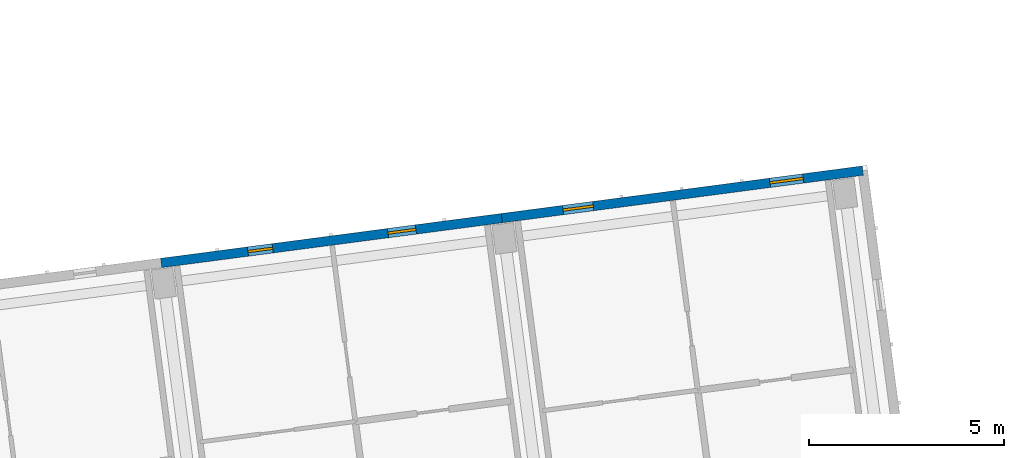
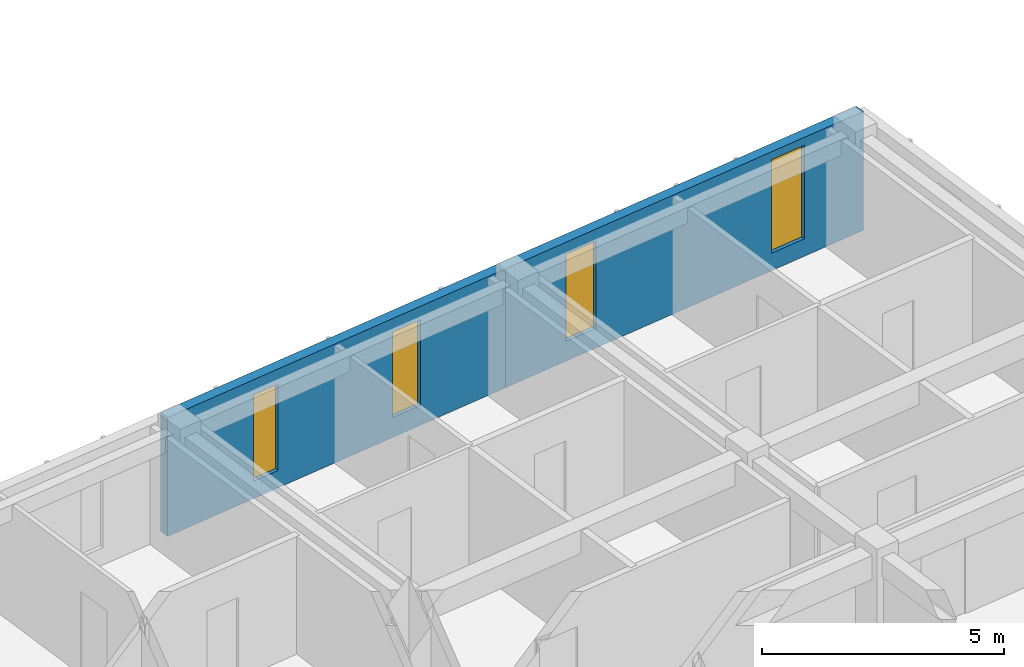
# One storey, part 30 of 65: 4 windows, 2 walls, 4 openings.
"""IFC4 building model written with IfcOpenShell, lengths in metres."""

from ifc_helpers import new_model, si_unit, direction, frame, frame_2d, origin, place, context, subcontext, project, spatial, rectangle, extrude, material, layer, layer_set, type_object, element, fill, save


model = new_model("IFC4")

# Units and contexts
model_context = context("Model", 3, precision=1e-05, world=origin(), true_north=direction((0.0, 1.0)))
body_context = subcontext(model_context, "Body", "Model", "MODEL_VIEW")
ifc_project = project(units=[si_unit("LENGTHUNIT", "METRE"), si_unit("AREAUNIT", "SQUARE_METRE"), si_unit("VOLUMEUNIT", "CUBIC_METRE"), si_unit("PLANEANGLEUNIT", "RADIAN"), si_unit("MASSUNIT", "GRAM", prefix="KILO")], contexts=[model_context])

# Site, building, storey
site_placement = place(None, origin())
site = spatial("IfcSite", under=ifc_project, at=site_placement, CompositionType="ELEMENT")
building_placement = place(site_placement, origin())
building = spatial("IfcBuilding", under=site, at=building_placement, Name="Kestramere Prow Commons", CompositionType="ELEMENT")
storey_placement = place(building_placement, frame((0.0, 0.0, 21.39990234375)))
storey = spatial("IfcBuildingStorey", under=building, at=storey_placement, Name="L06", CompositionType="ELEMENT", Elevation=21.39990234375)

# Wall, openings, windows
ifc_material_1 = material(Name="Fluoropolymer Standing-Seam Zinc-Aluminium Cladding", Category="aluminium")
ifc_layer = layer(ifc_material_1, 0.239990234375)
ifc_layer_set = layer_set([ifc_layer], Name="Fluoropolymer Standing-Seam Zinc-Aluminium Cladding")
wall_type = type_object("IfcWallType", Name="EW-SEAM-240", PredefinedType="SOLIDWALL", material=ifc_layer_set)
wall_1_placement = place(storey_placement, frame((43.419921875, 96.94384765625, 0.0), z_axis=(0.0, 0.0, 1.0), x_axis=(0.991443905089, 0.130533455715, 0.0)))
wall_1 = element("IfcWall", 1, at=wall_1_placement, inside=storey, type_object=wall_type, Name="Block A L06 North Standing-Seam Wall 5", PredefinedType="SOLIDWALL", context=body_context, shape_type="SweptSolid", body=[
    extrude(rectangle(XDim=8.7998046875, YDim=0.239990234375, at=frame_2d((4.39990234375, 0.0))), origin(), (0.0, 0.0, 1.0), 3.0),
])
opening_1_placement = place(wall_1_placement, frame((2.2412109375, 0.0, 0.43994140625)))
opening_1 = element("IfcOpeningElement", 2, at=opening_1_placement, cuts=wall_1, Name="Opening WN-04", PredefinedType="OPENING", context=body_context, shape_type="SweptSolid", body=[
    extrude(rectangle(XDim=0.639892578125, YDim=2.179931640625, at=frame_2d((0.31982421875, 1.08984375))), frame((0.0, 0.135009765625, 0.0), z_axis=(0.0, -1.0, 0.0), x_axis=(1.0, 0.0, 0.0)), (0.0, 0.0, 1.0), 0.27001953125),
])
opening_2_placement = place(wall_1_placement, frame((5.86083984375, 0.0, 0.5)))
opening_2 = element("IfcOpeningElement", 3, at=opening_2_placement, cuts=wall_1, Name="Opening WN-08", PredefinedType="OPENING", context=body_context, shape_type="SweptSolid", body=[
    extrude(rectangle(XDim=0.719970703125, YDim=2.159912109375, at=frame_2d((0.35986328125, 1.080078125))), frame((0.0, 0.135009765625, 0.0), z_axis=(0.0, -1.0, 0.0), x_axis=(1.0, 0.0, 0.0)), (0.0, 0.0, 1.0), 0.27001953125),
])
ifc_material_2 = material(Name="Low-E Laminated Double Glazing", Category="glass")
window_type_1 = type_object("IfcWindowType", Name="WN-NAR-640A", PartitioningType="SINGLE_PANEL", PredefinedType="WINDOW", material=ifc_material_2)
window_1_placement = place(opening_1_placement, origin())
window_1 = element("IfcWindow", 4, at=window_1_placement, inside=storey, type_object=window_type_1, Name="WN-A-L06-N-4-0", OverallHeight=2.179931640625, OverallWidth=0.639892578125, PartitioningType="SINGLE_PANEL", PredefinedType="WINDOW", context=body_context, shape_type="SweptSolid", body=[
    extrude(rectangle(XDim=0.639892578125, YDim=2.179931640625, at=frame_2d((0.31982421875, 1.08984375))), frame((0.0, 0.030029296875, 0.0), z_axis=(0.0, -1.0, 0.0), x_axis=(1.0, 0.0, 0.0)), (0.0, 0.0, 1.0), 0.06005859375),
])
fill(opening_1, window_1)
window_type_2 = type_object("IfcWindowType", Name="WN-NAR-720A", PartitioningType="SINGLE_PANEL", PredefinedType="WINDOW", material=ifc_material_2)
window_2_placement = place(opening_2_placement, origin())
window_2 = element("IfcWindow", 5, at=window_2_placement, inside=storey, type_object=window_type_2, Name="WN-A-L06-N-4-1", OverallHeight=2.159912109375, OverallWidth=0.719970703125, PartitioningType="SINGLE_PANEL", PredefinedType="WINDOW", context=body_context, shape_type="SweptSolid", body=[
    extrude(rectangle(XDim=0.719970703125, YDim=2.159912109375, at=frame_2d((0.35986328125, 1.080078125))), frame((0.0, 0.030029296875, 0.0), z_axis=(0.0, -1.0, 0.0), x_axis=(1.0, 0.0, 0.0)), (0.0, 0.0, 1.0), 0.06005859375),
])
fill(opening_2, window_2)

wall_2_placement = place(storey_placement, frame((52.14453125, 98.092529296875, 0.0), z_axis=(0.0, 0.0, 1.0), x_axis=(0.991442885224, 0.130541201693, 0.0)))
wall_2 = element("IfcWall", 6, at=wall_2_placement, inside=storey, type_object=wall_type, Name="Block A L06 North Standing-Seam Wall 6", PredefinedType="SOLIDWALL", context=body_context, shape_type="SweptSolid", body=[
    extrude(rectangle(XDim=9.324951171875, YDim=0.239990234375, at=frame_2d((4.66259765625, 0.0))), origin(), (0.0, 0.0, 1.0), 3.0),
])
opening_3_placement = place(wall_2_placement, frame((1.58203125, 0.0, 0.5)))
opening_3 = element("IfcOpeningElement", 7, at=opening_3_placement, cuts=wall_2, Name="Opening WN-11", PredefinedType="OPENING", context=body_context, shape_type="SweptSolid", body=[
    extrude(rectangle(XDim=0.780029296875, YDim=2.199951171875, at=frame_2d((0.39013671875, 1.10009765625))), frame((0.0, 0.135009765625, 0.0), z_axis=(0.0, -1.0, 0.0), x_axis=(1.0, 0.0, 0.0)), (0.0, 0.0, 1.0), 0.27001953125),
])
opening_4_placement = place(wall_2_placement, frame((6.925537109375, 0.0, 0.43994140625)))
opening_4 = element("IfcOpeningElement", 8, at=opening_4_placement, cuts=wall_2, Name="Opening WN-15", PredefinedType="OPENING", context=body_context, shape_type="SweptSolid", body=[
    extrude(rectangle(XDim=0.860107421875, YDim=2.360107421875, at=frame_2d((0.43017578125, 1.18017578125))), frame((0.0, 0.135009765625, 0.0), z_axis=(0.0, -1.0, 0.0), x_axis=(1.0, 0.0, 0.0)), (0.0, 0.0, 1.0), 0.27001953125),
])
window_type_3 = type_object("IfcWindowType", Name="WN-NAR-780A", PartitioningType="SINGLE_PANEL", PredefinedType="WINDOW", material=ifc_material_2)
window_3_placement = place(opening_3_placement, origin())
window_3 = element("IfcWindow", 9, at=window_3_placement, inside=storey, type_object=window_type_3, Name="WN-A-L06-N-5-0", OverallHeight=2.199951171875, OverallWidth=0.780029296875, PartitioningType="SINGLE_PANEL", PredefinedType="WINDOW", context=body_context, shape_type="SweptSolid", body=[
    extrude(rectangle(XDim=0.780029296875, YDim=2.199951171875, at=frame_2d((0.39013671875, 1.10009765625))), frame((0.0, 0.030029296875, 0.0), z_axis=(0.0, -1.0, 0.0), x_axis=(1.0, 0.0, 0.0)), (0.0, 0.0, 1.0), 0.06005859375),
])
fill(opening_3, window_3)
window_type_4 = type_object("IfcWindowType", Name="WN-NAR-860A", PartitioningType="DOUBLE_PANEL_VERTICAL", PredefinedType="WINDOW", material=ifc_material_2)
window_4_placement = place(opening_4_placement, origin())
window_4 = element("IfcWindow", 10, at=window_4_placement, inside=storey, type_object=window_type_4, Name="WN-A-L06-N-5-1", OverallHeight=2.360107421875, OverallWidth=0.860107421875, PartitioningType="SINGLE_PANEL", PredefinedType="WINDOW", context=body_context, shape_type="SweptSolid", body=[
    extrude(rectangle(XDim=0.860107421875, YDim=2.360107421875, at=frame_2d((0.43017578125, 1.18017578125))), frame((0.0, 0.030029296875, 0.0), z_axis=(0.0, -1.0, 0.0), x_axis=(1.0, 0.0, 0.0)), (0.0, 0.0, 1.0), 0.06005859375),
])
fill(opening_4, window_4)

save(model, "model.ifc")
